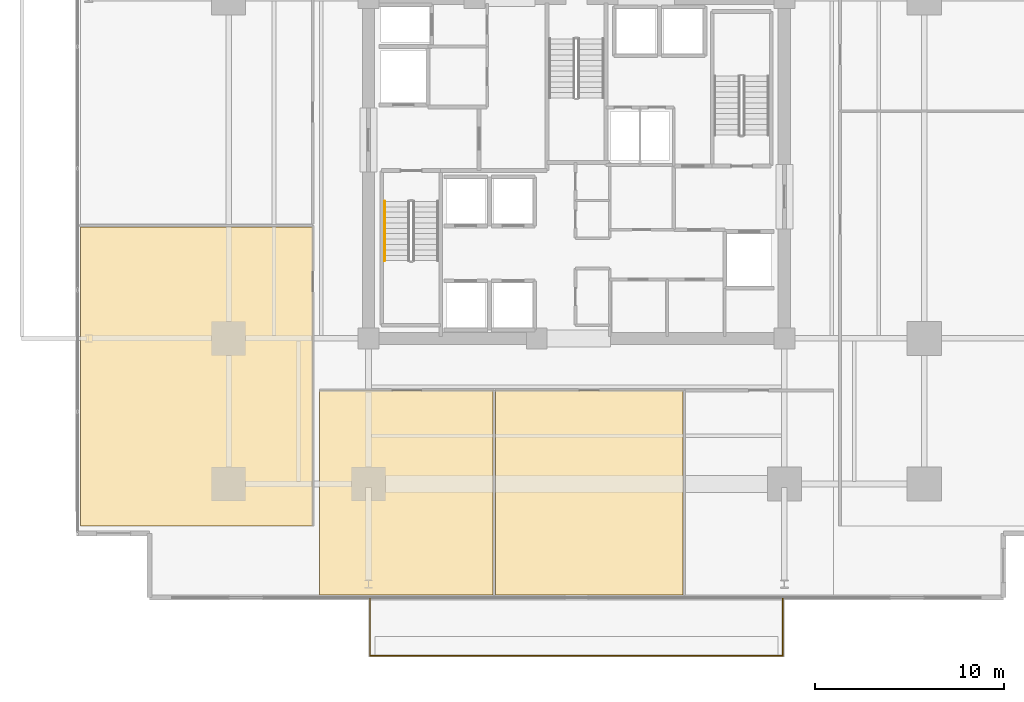
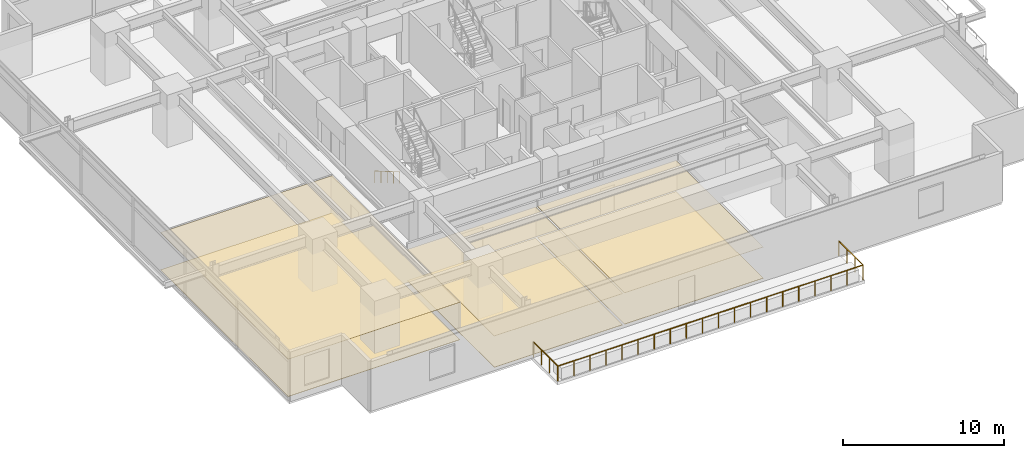
# One storey, part 20 of 24: 6 coverings, 2 railings.
"""IFC4 building model written with IfcOpenShell, lengths in metres."""

from ifc_helpers import new_model, si_unit, direction, frame, origin, origin_2d, place, context, subcontext, project, spatial, polyline, circle, outline, extrude, material, layer, layer_set, type_object, element, save


model = new_model("IFC4")

# Units and contexts
model_context = context("Model", 3, precision=1e-05, world=origin(), true_north=direction((0.0, 1.0)))
body_context = subcontext(model_context, "Body", "Model", "MODEL_VIEW")
ifc_project = project(units=[si_unit("LENGTHUNIT", "METRE"), si_unit("AREAUNIT", "SQUARE_METRE"), si_unit("VOLUMEUNIT", "CUBIC_METRE"), si_unit("PLANEANGLEUNIT", "RADIAN"), si_unit("MASSUNIT", "GRAM", prefix="KILO")], contexts=[model_context])

# Site, building, storey
site_placement = place(None, origin())
site = spatial("IfcSite", under=ifc_project, at=site_placement, CompositionType="ELEMENT")
building_placement = place(site_placement, origin())
building = spatial("IfcBuilding", under=site, at=building_placement, Name="Kovane Verandah Tower", CompositionType="ELEMENT")
storey_placement = place(building_placement, frame((0.0, 0.0, 95.60009765625)))
storey = spatial("IfcBuildingStorey", under=building, at=storey_placement, Name="L22", CompositionType="ELEMENT", Elevation=95.60009765625)

# Coverings
ifc_material_1 = material(Name="Perforated Acoustic Mineral-Fibre Ceiling Tile", Category="gypsum")
ifc_layer_1 = layer(ifc_material_1, 0.02490234375)
ifc_layer_set_1 = layer_set([ifc_layer_1], Name="Perforated Acoustic Mineral-Fibre Ceiling Tile")
covering_type_1 = type_object("IfcCoveringType", Name="CV-CEIL-25", PredefinedType="CEILING", material=ifc_layer_set_1)
covering_1_placement = place(storey_placement, frame((0.0, 0.0, 2.364990234375)))
element("IfcCovering", 1, at=covering_1_placement, inside=storey, type_object=covering_type_1, Name="L22 Client Boardroom S1 Acoustic Ceiling", PredefinedType="CEILING", context=body_context, shape_type="SweptSolid", body=[
    extrude(outline(polyline([(26.39990234375, 4.939208984375), (35.577880859375, 4.939208984375), (35.577880859375, 15.75), (26.39990234375, 15.75), (26.39990234375, 4.939208984375)])), origin(), (0.0, 0.0, 1.0), 0.02490234375),
])
covering_2_placement = place(storey_placement, frame((0.0, 0.0, 2.364990234375)))
element("IfcCovering", 2, at=covering_2_placement, inside=storey, type_object=covering_type_1, Name="L22 Meeting Room S2 Acoustic Ceiling", PredefinedType="CEILING", context=body_context, shape_type="SweptSolid", body=[
    extrude(outline(polyline([(35.718017578125, 4.939208984375), (45.64208984375, 4.939208984375), (45.64208984375, 15.75), (35.718017578125, 15.75), (35.718017578125, 4.939208984375)])), origin(), (0.0, 0.0, 1.0), 0.02490234375),
])
covering_3_placement = place(storey_placement, frame((0.0, 0.0, 2.824951171875)))
element("IfcCovering", 3, at=covering_3_placement, inside=storey, type_object=covering_type_1, Name="L22 Breakout Pantry W1 Acoustic Ceiling", PredefinedType="CEILING", context=body_context, shape_type="SweptSolid", body=[
    extrude(outline(polyline([(13.762939453125, 8.589111328125), (26.050048828125, 8.589111328125), (26.050048828125, 24.404296875), (13.762939453125, 24.404296875), (13.762939453125, 8.589111328125)])), origin(), (0.0, 0.0, 1.0), 0.02490234375),
])
ifc_material_2 = material(Name="Polished Terrazzo and Raised-Access Carpet Tile Finish", Category="concrete")
ifc_layer_2 = layer(ifc_material_2, 0.030029296875)
ifc_layer_set_2 = layer_set([ifc_layer_2], Name="Polished Terrazzo and Raised-Access Carpet Tile Finish")
covering_type_2 = type_object("IfcCoveringType", Name="CV-FLOR-30", PredefinedType="FLOORING", material=ifc_layer_set_2)
covering_4_placement = place(storey_placement, origin())
element("IfcCovering", 4, at=covering_4_placement, inside=storey, type_object=covering_type_2, Name="L22 Client Boardroom S1 Floor Finish", PredefinedType="FLOORING", context=body_context, shape_type="SweptSolid", body=[
    extrude(outline(polyline([(26.39990234375, 4.939208984375), (35.577880859375, 4.939208984375), (35.577880859375, 15.75), (26.39990234375, 15.75), (26.39990234375, 4.939208984375)])), origin(), (0.0, 0.0, 1.0), 0.02978515625),
])
covering_5_placement = place(storey_placement, origin())
element("IfcCovering", 5, at=covering_5_placement, inside=storey, type_object=covering_type_2, Name="L22 Meeting Room S2 Floor Finish", PredefinedType="FLOORING", context=body_context, shape_type="SweptSolid", body=[
    extrude(outline(polyline([(35.718017578125, 4.939208984375), (45.64208984375, 4.939208984375), (45.64208984375, 15.75), (35.718017578125, 15.75), (35.718017578125, 4.939208984375)])), origin(), (0.0, 0.0, 1.0), 0.02978515625),
])
covering_6_placement = place(storey_placement, origin())
element("IfcCovering", 6, at=covering_6_placement, inside=storey, type_object=covering_type_2, Name="L22 Breakout Pantry W1 Floor Finish", PredefinedType="FLOORING", context=body_context, shape_type="SweptSolid", body=[
    extrude(outline(polyline([(13.762939453125, 8.589111328125), (26.050048828125, 8.589111328125), (26.050048828125, 24.404296875), (13.762939453125, 24.404296875), (13.762939453125, 8.589111328125)])), origin(), (0.0, 0.0, 1.0), 0.02978515625),
])

# Railings
ifc_material_3 = material(Name="Laminated Glass and Pale-Champagne Stainless Balustrade", Category="glass")
railing_type_1 = type_object("IfcRailingType", Name="RL-BAL-1150", PredefinedType="BALUSTRADE", material=ifc_material_3)
railing_1_placement = place(storey_placement, frame((29.080078125, 4.739013671875, 0.0)))
element("IfcRailing", 7, at=railing_1_placement, inside=storey, type_object=railing_type_1, Name="L22 S Verandah Glass Balustrade", PredefinedType="BALUSTRADE", context=body_context, shape_type="SweptSolid", body=[
    extrude(circle(Radius=0.02392578125, at=origin_2d()), frame((0.0, 0.0, 1.1259765625), z_axis=(0.0, -1.0, 0.0), x_axis=(1.0, 0.0, 0.0)), (0.0, 0.0, 1.0), 3.02001953125),
    extrude(circle(Radius=0.02392578125, at=origin_2d()), frame((0.0, -3.02001953125, 1.1259765625), z_axis=(1.0, 0.0, 0.0), x_axis=(0.0, 1.0, 0.0)), (0.0, 0.0, 1.0), 21.83984375),
    extrude(circle(Radius=0.02392578125, at=origin_2d()), frame((21.83984375, -3.02001953125, 1.1259765625), z_axis=(0.0, 1.0, 0.0), x_axis=(-1.0, 0.0, 0.0)), (0.0, 0.0, 1.0), 3.02001953125),
    extrude(circle(Radius=0.02099609375, at=origin_2d()), origin(), (0.0, 0.0, 1.0), 1.101806640625),
    extrude(circle(Radius=0.02099609375, at=origin_2d()), frame((0.0, -1.006591796875, 0.0)), (0.0, 0.0, 1.0), 1.101806640625),
    extrude(circle(Radius=0.02099609375, at=origin_2d()), frame((0.0, -2.013427734375, 0.0)), (0.0, 0.0, 1.0), 1.101806640625),
    extrude(circle(Radius=0.02099609375, at=origin_2d()), frame((0.0, -3.02001953125, 0.0)), (0.0, 0.0, 1.0), 1.101806640625),
    extrude(circle(Radius=0.02099609375, at=origin_2d()), frame((1.1494140625, -3.02001953125, 0.0)), (0.0, 0.0, 1.0), 1.101806640625),
    extrude(circle(Radius=0.02099609375, at=origin_2d()), frame((2.298828125, -3.02001953125, 0.0)), (0.0, 0.0, 1.0), 1.101806640625),
    extrude(circle(Radius=0.02099609375, at=origin_2d()), frame((3.448486328125, -3.02001953125, 0.0)), (0.0, 0.0, 1.0), 1.101806640625),
    extrude(circle(Radius=0.02099609375, at=origin_2d()), frame((4.597900390625, -3.02001953125, 0.0)), (0.0, 0.0, 1.0), 1.101806640625),
    extrude(circle(Radius=0.02099609375, at=origin_2d()), frame((5.747314453125, -3.02001953125, 0.0)), (0.0, 0.0, 1.0), 1.101806640625),
    extrude(circle(Radius=0.02099609375, at=origin_2d()), frame((6.896728515625, -3.02001953125, 0.0)), (0.0, 0.0, 1.0), 1.101806640625),
    extrude(circle(Radius=0.02099609375, at=origin_2d()), frame((8.046142578125, -3.02001953125, 0.0)), (0.0, 0.0, 1.0), 1.101806640625),
    extrude(circle(Radius=0.02099609375, at=origin_2d()), frame((9.19580078125, -3.02001953125, 0.0)), (0.0, 0.0, 1.0), 1.101806640625),
    extrude(circle(Radius=0.02099609375, at=origin_2d()), frame((10.34521484375, -3.02001953125, 0.0)), (0.0, 0.0, 1.0), 1.101806640625),
    extrude(circle(Radius=0.02099609375, at=origin_2d()), frame((11.49462890625, -3.02001953125, 0.0)), (0.0, 0.0, 1.0), 1.101806640625),
    extrude(circle(Radius=0.02099609375, at=origin_2d()), frame((12.64404296875, -3.02001953125, 0.0)), (0.0, 0.0, 1.0), 1.101806640625),
    extrude(circle(Radius=0.02099609375, at=origin_2d()), frame((13.793701171875, -3.02001953125, 0.0)), (0.0, 0.0, 1.0), 1.101806640625),
    extrude(circle(Radius=0.02099609375, at=origin_2d()), frame((14.943115234375, -3.02001953125, 0.0)), (0.0, 0.0, 1.0), 1.101806640625),
    extrude(circle(Radius=0.02099609375, at=origin_2d()), frame((16.092529296875, -3.02001953125, 0.0)), (0.0, 0.0, 1.0), 1.101806640625),
    extrude(circle(Radius=0.02099609375, at=origin_2d()), frame((17.241943359375, -3.02001953125, 0.0)), (0.0, 0.0, 1.0), 1.101806640625),
    extrude(circle(Radius=0.02099609375, at=origin_2d()), frame((18.391357421875, -3.02001953125, 0.0)), (0.0, 0.0, 1.0), 1.101806640625),
    extrude(circle(Radius=0.02099609375, at=origin_2d()), frame((19.541015625, -3.02001953125, 0.0)), (0.0, 0.0, 1.0), 1.101806640625),
    extrude(circle(Radius=0.02099609375, at=origin_2d()), frame((20.6904296875, -3.02001953125, 0.0)), (0.0, 0.0, 1.0), 1.101806640625),
    extrude(circle(Radius=0.02099609375, at=origin_2d()), frame((21.83984375, -3.02001953125, 0.0)), (0.0, 0.0, 1.0), 1.101806640625),
    extrude(circle(Radius=0.02099609375, at=origin_2d()), frame((21.83984375, -2.013427734375, 0.0)), (0.0, 0.0, 1.0), 1.101806640625),
    extrude(circle(Radius=0.02099609375, at=origin_2d()), frame((21.83984375, -1.006591796875, 0.0)), (0.0, 0.0, 1.0), 1.101806640625),
    extrude(circle(Radius=0.02099609375, at=origin_2d()), frame((21.83984375, 0.0, 0.0)), (0.0, 0.0, 1.0), 1.101806640625),
])
ifc_material_4 = material(Name="Brushed Stainless Steel Handrail", Category="steel")
railing_type_2 = type_object("IfcRailingType", Name="RL-HAND-920", PredefinedType="HANDRAIL", material=ifc_material_4)
railing_2_placement = place(storey_placement, frame((29.85009765625, 25.75, 0.16650390625)))
element("IfcRailing", 8, at=railing_2_placement, inside=storey, type_object=railing_type_2, Name="L22 ST-01 stair handrail 1", PredefinedType="HANDRAIL", context=body_context, shape_type="SweptSolid", body=[
    extrude(circle(Radius=0.02392578125, at=origin_2d()), frame((0.0, 0.0, 0.8759765625), z_axis=(0.0, -0.863210265497, 0.504844567704), x_axis=(1.0, 0.0, 0.0)), (0.0, 0.0, 1.0), 3.6318359375),
    extrude(circle(Radius=0.02099609375, at=origin_2d()), origin(), (0.0, 0.0, 1.0), 0.851806640625),
    extrude(circle(Radius=0.02099609375, at=origin_2d()), frame((0.0, -0.78369140625, 0.45849609375)), (0.0, 0.0, 1.0), 0.851806640625),
    extrude(circle(Radius=0.02099609375, at=origin_2d()), frame((0.0, -1.5673828125, 0.916748046875)), (0.0, 0.0, 1.0), 0.851806640625),
    extrude(circle(Radius=0.02099609375, at=origin_2d()), frame((0.0, -2.351318359375, 1.375)), (0.0, 0.0, 1.0), 0.851806640625),
    extrude(circle(Radius=0.02099609375, at=origin_2d()), frame((0.0, -3.135009765625, 1.83349609375)), (0.0, 0.0, 1.0), 0.851806640625),
])

save(model, "model.ifc")
